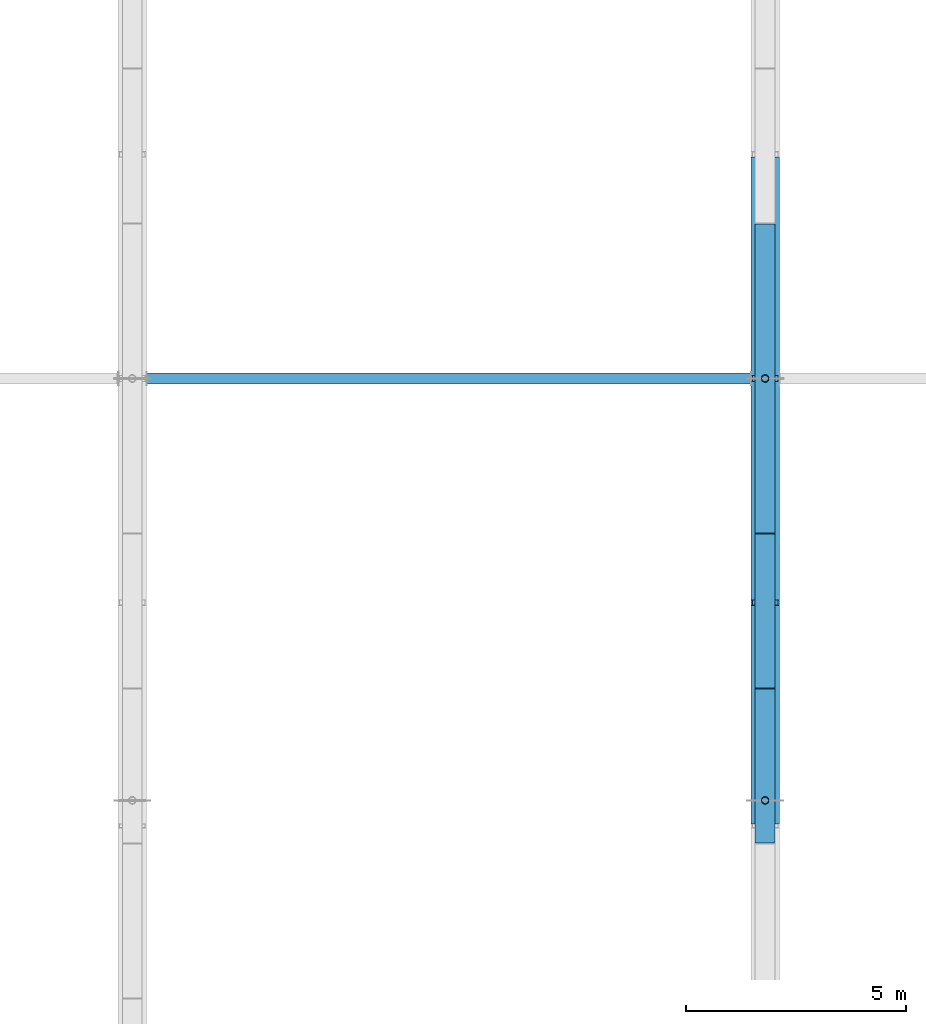
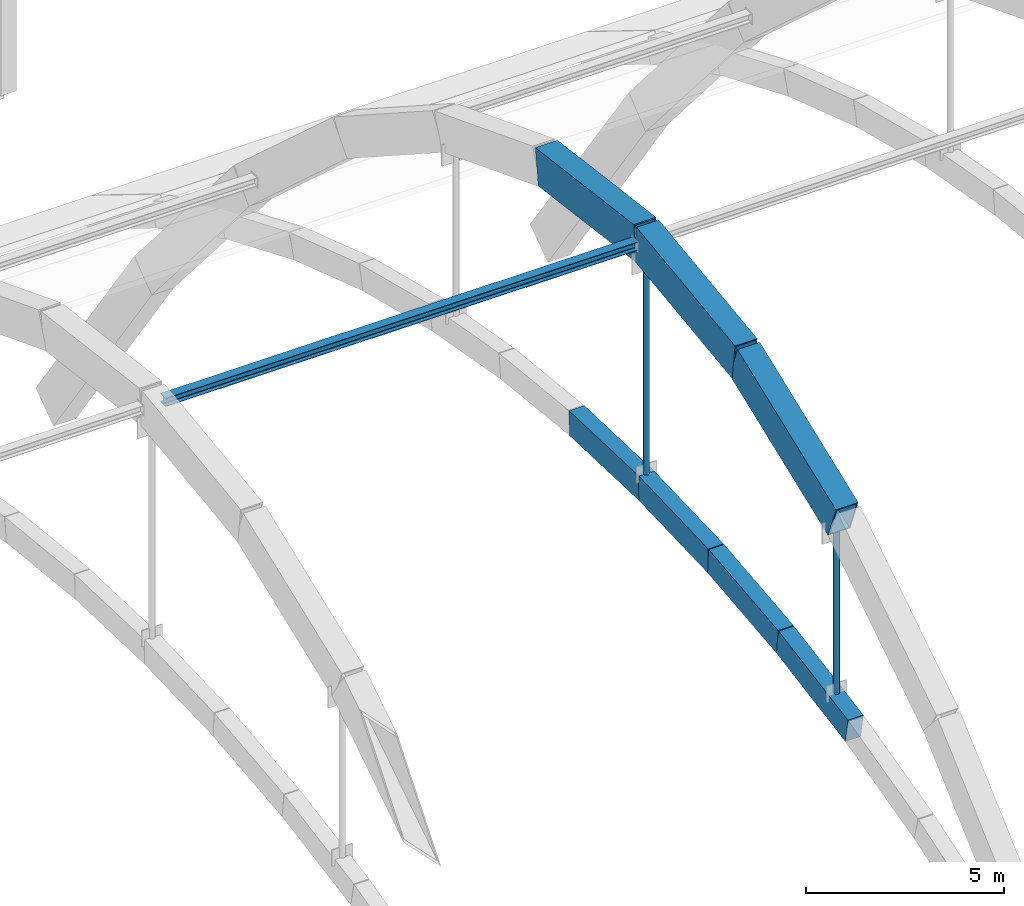
# One storey, part 9 of 64: 6 members, 4 beams.
"""IFC4 building model written with IfcOpenShell, lengths in metres."""

from ifc_helpers import new_model, si_unit, direction, frame, origin, origin_2d, place, context, subcontext, project, spatial, rectangle, hollow_rectangle, hollow_circle, i_section, extrude, material, material_profile, profile_set, type_object, element, save


model = new_model("IFC4")

# Units and contexts
model_context = context("Model", 3, precision=1e-05, world=origin(), true_north=direction((0.0, 1.0)))
body_context = subcontext(model_context, "Body", "Model", "MODEL_VIEW")
ifc_project = project(units=[si_unit("LENGTHUNIT", "METRE"), si_unit("AREAUNIT", "SQUARE_METRE"), si_unit("VOLUMEUNIT", "CUBIC_METRE"), si_unit("PLANEANGLEUNIT", "RADIAN"), si_unit("MASSUNIT", "GRAM", prefix="KILO")], contexts=[model_context])

# Site, building, storey
site_placement = place(None, origin())
site = spatial("IfcSite", under=ifc_project, at=site_placement, CompositionType="ELEMENT")
building_placement = place(site_placement, origin())
building = spatial("IfcBuilding", under=site, at=building_placement, Name="Leyfeld Transit Interchange", CompositionType="ELEMENT")
storey_placement = place(building_placement, frame((0.0, 0.0, 9.60009765625)))
storey = spatial("IfcBuildingStorey", under=building, at=storey_placement, Name="L02", CompositionType="ELEMENT", Elevation=9.60009765625)

# Beams
ifc_material_1 = material(Name="Concrete C40/50", Category="concrete")
ifc_material_profile_1 = material_profile(ifc_material_1, rectangle(XDim=0.449951171875, YDim=0.75, at=origin_2d()), Name="RC 750x450 RIB")
ifc_profile_set_1 = profile_set([ifc_material_profile_1], Name="Concrete C40/50")
beam_type = type_object("IfcBeamType", Name="BM-RIB-750x450", PredefinedType="USERDEFINED", material=ifc_profile_set_1)
beam_1_placement = place(storey_placement, frame((43.199951171875, 21.89990234375, 6.3251953125), z_axis=(0.0, 0.984546197367, 0.175125056033), x_axis=(-1.0, 0.0, 0.0)))
element("IfcBeam", 1, at=beam_1_placement, inside=storey, type_object=beam_type, Name="Concourse Vault Rib A4 Seg 6", ObjectType="ARCH_RIB", PredefinedType="USERDEFINED", context=body_context, shape_type="SweptSolid", body=[
    extrude(rectangle(XDim=0.449951171875, YDim=0.75, at=origin_2d()), origin(), (0.0, 0.0, 1.0), 3.554931640625),
])
beam_2_placement = place(storey_placement, frame((43.199951171875, 25.39990234375, 6.94775390625), z_axis=(0.0, 0.99446241795, 0.105092812723), x_axis=(-1.0, 0.0, 0.0)))
element("IfcBeam", 2, at=beam_2_placement, inside=storey, type_object=beam_type, Name="Concourse Vault Rib A4 Seg 7", ObjectType="ARCH_RIB", PredefinedType="USERDEFINED", context=body_context, shape_type="SweptSolid", body=[
    extrude(rectangle(XDim=0.449951171875, YDim=0.75, at=origin_2d()), origin(), (0.0, 0.0, 1.0), 3.51953125),
])
for number, where, z_axis, x_axis, name in (
    (3, (43.199951171875, 28.89990234375, 7.317626953125), (0.0, 0.999387477159, 0.034995292518), (-1.0, 0.0, 0.0), "Concourse Vault Rib A4 Seg 8"),
    (4, (43.199951171875, 32.39990234375, 7.440185546875), (0.0, 0.999387477159, -0.034995292518), (-1.0, 0.0, 0.0), "Concourse Vault Rib A4 Seg 9"),
):
    element("IfcBeam", number, at=place(storey_placement, frame(where, z_axis=z_axis, x_axis=x_axis)), inside=storey, type_object=beam_type, Name=name, ObjectType="ARCH_RIB", PredefinedType="USERDEFINED", context=body_context, shape_type="SweptSolid", body=[
        extrude(rectangle(XDim=0.449951171875, YDim=0.75, at=origin_2d()), origin(), (0.0, 0.0, 1.0), 3.502197265625),
    ])

# Members
ifc_material_2 = material(Name="Steel S355J2 - Ochre Arch", Category="steel")
ifc_material_profile_2 = material_profile(ifc_material_2, hollow_rectangle(XDim=0.64990234375, YDim=1.10009765625, WallThickness=0.035888671875, at=origin_2d()), Name="RHS 1100x650x36")
ifc_profile_set_2 = profile_set([ifc_material_profile_2], Name="Steel S355J2 - Ochre Arch")
member_type_1 = type_object("IfcMemberType", Name="MEM-ARCH-1100", PredefinedType="USERDEFINED", material=ifc_profile_set_2)
member_1_placement = place(storey_placement, frame((43.199951171875, 22.466796875, 12.433349609375), z_axis=(0.0, 0.932424670612, 0.361364405599), x_axis=(-1.0, 0.0, 0.0)))
element("IfcMember", 5, at=member_1_placement, inside=storey, type_object=member_type_1, Name="Primary Steel Arch AR-03 Seg 5", ObjectType="ARCH_SEGMENT", PredefinedType="USERDEFINED", context=body_context, shape_type="SweptSolid", body=[
    extrude(hollow_rectangle(XDim=0.64990234375, YDim=1.10009765625, WallThickness=0.035888671875, at=origin_2d()), origin(), (0.0, 0.0, 1.0), 5.326416015625),
])
member_2_placement = place(storey_placement, frame((43.199951171875, 27.433349609375, 14.358154296875), z_axis=(0.0, 0.991752498374, 0.128167788341), x_axis=(-1.0, 0.0, 0.0)))
element("IfcMember", 6, at=member_2_placement, inside=storey, type_object=member_type_1, Name="Primary Steel Arch AR-03 Seg 6", ObjectType="ARCH_SEGMENT", PredefinedType="USERDEFINED", context=body_context, shape_type="SweptSolid", body=[
    extrude(hollow_rectangle(XDim=0.64990234375, YDim=1.10009765625, WallThickness=0.035888671875, at=origin_2d()), origin(), (0.0, 0.0, 1.0), 5.0078125),
])
member_3_placement = place(storey_placement, frame((43.199951171875, 32.39990234375, 15.0), z_axis=(0.0, 0.991753299157, -0.128161591795), x_axis=(-1.0, 0.0, 0.0)))
element("IfcMember", 7, at=member_3_placement, inside=storey, type_object=member_type_1, Name="Primary Steel Arch AR-03 Seg 7", ObjectType="ARCH_SEGMENT", PredefinedType="USERDEFINED", context=body_context, shape_type="SweptSolid", body=[
    extrude(hollow_rectangle(XDim=0.64990234375, YDim=1.10009765625, WallThickness=0.035888671875, at=origin_2d()), origin(), (0.0, 0.0, 1.0), 5.008056640625),
])
ifc_material_3 = material(Name="Steel S355J2", Category="steel")
ifc_material_profile_3 = material_profile(ifc_material_3, i_section(OverallWidth=0.260009765625, OverallDepth=0.260009765625, WebThickness=0.010009765625, FlangeThickness=0.017578125, FilletRadius=0.02392578125, at=origin_2d()), Name="HEB 260")
ifc_profile_set_3 = profile_set([ifc_material_profile_3], Name="Steel S355J2")
member_type_2 = type_object("IfcMemberType", Name="MEM-CHD-HEB260", PredefinedType="CHORD", material=ifc_profile_set_3)
member_4_placement = place(storey_placement, frame((29.125, 32.39990234375, 15.0), z_axis=(1.0, 0.0, 0.0), x_axis=(0.0, 1.0, 0.0)))
element("IfcMember", 8, at=member_4_placement, inside=storey, type_object=member_type_2, Name="Arch Longitudinal Tie Chord B3 T2", PredefinedType="CHORD", context=body_context, shape_type="SweptSolid", body=[
    extrude(i_section(OverallWidth=0.260009765625, OverallDepth=0.260009765625, WebThickness=0.010009765625, FlangeThickness=0.017578125, FilletRadius=0.02392578125, at=origin_2d()), origin(), (0.0, 0.0, 1.0), 13.75),
])
ifc_material_profile_4 = material_profile(ifc_material_3, hollow_circle(Radius=0.084228515625, WallThickness=0.008056640625, at=origin_2d()), Name="CHS 168.3x8")
ifc_profile_set_4 = profile_set([ifc_material_profile_4], Name="Steel S355J2")
member_type_3 = type_object("IfcMemberType", Name="MEM-HGR-168", PredefinedType="USERDEFINED", material=ifc_profile_set_4)
member_5_placement = place(storey_placement, frame((43.199951171875, 22.800048828125, 6.885009765625), z_axis=(0.0, 0.0, 1.0), x_axis=(1.0, 0.0, 0.0)))
element("IfcMember", 9, at=member_5_placement, inside=storey, type_object=member_type_3, Name="Arch Tension Hanger AR-03 H3", ObjectType="SUSPENDER", PredefinedType="USERDEFINED", context=body_context, shape_type="SweptSolid", body=[
    extrude(hollow_circle(Radius=0.084228515625, WallThickness=0.008056640625, at=origin_2d()), origin(), (0.0, 0.0, 1.0), 5.087646484375),
])
member_6_placement = place(storey_placement, frame((43.199951171875, 32.39990234375, 7.815185546875), z_axis=(0.0, 0.0, 1.0), x_axis=(1.0, 0.0, 0.0)))
element("IfcMember", 10, at=member_6_placement, inside=storey, type_object=member_type_3, Name="Arch Tension Hanger AR-03 H4", ObjectType="SUSPENDER", PredefinedType="USERDEFINED", context=body_context, shape_type="SweptSolid", body=[
    extrude(hollow_circle(Radius=0.084228515625, WallThickness=0.008056640625, at=origin_2d()), origin(), (0.0, 0.0, 1.0), 6.630126953125),
])

save(model, "model.ifc")
